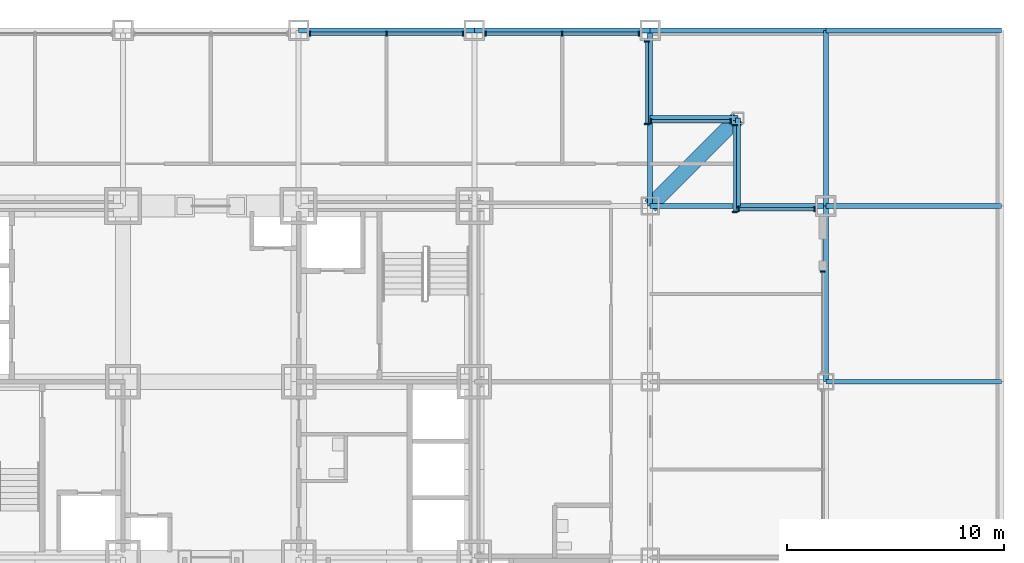
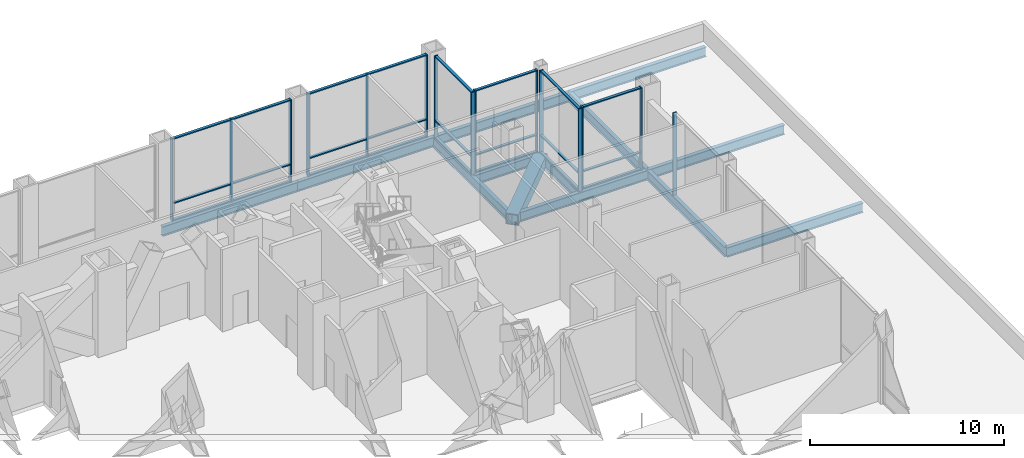
# One storey, part 9 of 18: 39 members, 13 beams, 7 elements without a shape of their own.
"""IFC4 building model written with IfcOpenShell, lengths in metres."""

from ifc_helpers import new_model, si_unit, direction, frame, origin, origin_2d, place, context, subcontext, project, spatial, rectangle, hollow_rectangle, i_section, extrude, material, material_profile, profile_set, type_object, element, aggregate, save


model = new_model("IFC4")

# Units and contexts
model_context = context("Model", 3, precision=1e-05, world=origin(), true_north=direction((0.0, 1.0)))
body_context = subcontext(model_context, "Body", "Model", "MODEL_VIEW")
ifc_project = project(units=[si_unit("LENGTHUNIT", "METRE"), si_unit("AREAUNIT", "SQUARE_METRE"), si_unit("VOLUMEUNIT", "CUBIC_METRE"), si_unit("PLANEANGLEUNIT", "RADIAN"), si_unit("MASSUNIT", "GRAM", prefix="KILO")], contexts=[model_context])

# Site, building, storey
site_placement = place(None, origin())
site = spatial("IfcSite", under=ifc_project, at=site_placement, CompositionType="ELEMENT")
building_placement = place(site_placement, origin())
building = spatial("IfcBuilding", under=site, at=building_placement, Name="Kopane Lantern Tower", CompositionType="ELEMENT")
storey_placement = place(building_placement, frame((0.0, 0.0, 22.199951171875)))
storey = spatial("IfcBuildingStorey", under=building, at=storey_placement, Name="L04", CompositionType="ELEMENT", Elevation=22.199951171875)

# Beams
ifc_material_1 = material(Name="Steel S355JR", Category="steel")
ifc_material_profile_1 = material_profile(ifc_material_1, hollow_rectangle(XDim=0.699951171875, YDim=0.699951171875, WallThickness=0.06005859375, at=origin_2d()), Name="BOX 700x700x60")
ifc_profile_set_1 = profile_set([ifc_material_profile_1], Name="Steel S355JR")
beam_type_1 = type_object("IfcBeamType", Name="CORNER TIE BEAM BOX 700x700x60", PredefinedType="BEAM", material=ifc_profile_set_1)
beam_1_placement = place(storey_placement, frame((52.64990234375, 44.550048828125, -0.599853515625), z_axis=(-0.707085467703, -0.707128094028, 0.0), x_axis=(0.707128094028, -0.707085467703, 0.0)))
element("IfcBeam", 1, at=beam_1_placement, inside=storey, type_object=beam_type_1, Name="Corner Tie Beam L04", PredefinedType="BEAM", context=body_context, shape_type="SweptSolid", body=[
    extrude(hollow_rectangle(XDim=0.699951171875, YDim=0.699951171875, WallThickness=0.06005859375, at=origin_2d()), origin(), (0.0, 0.0, 1.0), 5.7275390625),
])
ifc_material_2 = material(Name="Steel S355JR", Category="steel")
ifc_material_profile_2 = material_profile(ifc_material_2, i_section(OverallWidth=0.22900390625, OverallDepth=0.6123046875, WebThickness=0.011962890625, FlangeThickness=0.01953125, FilletRadius=0.0126953125, at=origin_2d()), Name="UB 610x229x125")
ifc_profile_set_2 = profile_set([ifc_material_profile_2], Name="Steel S355JR")
beam_type_2 = type_object("IfcBeamType", Name="EDGE BEAM UB 610x229x125", PredefinedType="BEAM", material=ifc_profile_set_2)
beam_2_placement = place(storey_placement, frame((52.64990234375, 44.550048828125, -0.55615234375), z_axis=(-1.0, 0.0, 0.0), x_axis=(0.0, -1.0, 0.0)))
element("IfcBeam", 2, at=beam_2_placement, inside=storey, type_object=beam_type_2, Name="Edge Beam L04", PredefinedType="BEAM", context=body_context, shape_type="SweptSolid", body=[
    extrude(i_section(OverallWidth=0.22900390625, OverallDepth=0.6123046875, WebThickness=0.011962890625, FlangeThickness=0.01953125, FilletRadius=0.0126953125, at=origin_2d()), origin(), (0.0, 0.0, 1.0), 4.0498046875),
])
beam_3_placement = place(storey_placement, frame((52.64990234375, 44.550048828125, -0.55615234375), z_axis=(0.0, -1.0, 0.0), x_axis=(1.0, 0.0, 0.0)))
element("IfcBeam", 3, at=beam_3_placement, inside=storey, type_object=beam_type_2, Name="Edge Beam L04", PredefinedType="BEAM", context=body_context, shape_type="SweptSolid", body=[
    extrude(i_section(OverallWidth=0.22900390625, OverallDepth=0.6123046875, WebThickness=0.011962890625, FlangeThickness=0.01953125, FilletRadius=0.0126953125, at=origin_2d()), origin(), (0.0, 0.0, 1.0), 4.050048828125),
])
ifc_material_3 = material(Name="Steel S355JR", Category="steel")
ifc_material_profile_3 = material_profile(ifc_material_3, i_section(OverallWidth=0.22900390625, OverallDepth=0.6123046875, WebThickness=0.011962890625, FlangeThickness=0.01953125, FilletRadius=0.0126953125, at=origin_2d()), Name="UB 610x229x125")
ifc_profile_set_3 = profile_set([ifc_material_profile_3], Name="Steel S355JR")
beam_type_3 = type_object("IfcBeamType", Name="GIRDER UB 610x229x125", PredefinedType="BEAM", material=ifc_profile_set_3)
for number, where, z_axis, x_axis, name in (
    (4, (32.39990234375, 48.60009765625, -0.55615234375), (1.0, 0.0, 0.0), (0.0, 1.0, 0.0), "Girder L04"),
    (5, (40.5, 48.60009765625, -0.55615234375), (1.0, 0.0, 0.0), (0.0, 1.0, 0.0), "Girder L04"),
    (6, (48.60009765625, 40.5, -0.55615234375), (0.0, 1.0, 0.0), (-1.0, 0.0, 0.0), "Girder L04"),
):
    element("IfcBeam", number, at=place(storey_placement, frame(where, z_axis=z_axis, x_axis=x_axis)), inside=storey, type_object=beam_type_3, Name=name, PredefinedType="BEAM", context=body_context, shape_type="SweptSolid", body=[
        extrude(i_section(OverallWidth=0.22900390625, OverallDepth=0.6123046875, WebThickness=0.011962890625, FlangeThickness=0.01953125, FilletRadius=0.0126953125, at=origin_2d()), origin(), (0.0, 0.0, 1.0), 8.10009765625),
    ])
for number, where, z_axis, x_axis, name in (
    (7, (48.60009765625, 40.5, -0.55615234375), (1.0, 0.0, 0.0), (0.0, 1.0, 0.0), "Girder L04"),
    (8, (48.60009765625, 48.60009765625, -0.55615234375), (1.0, 0.0, 0.0), (0.0, 1.0, 0.0), "Girder L04"),
):
    element("IfcBeam", number, at=place(storey_placement, frame(where, z_axis=z_axis, x_axis=x_axis)), inside=storey, type_object=beam_type_3, Name=name, PredefinedType="BEAM", context=body_context, shape_type="SweptSolid", body=[
        extrude(i_section(OverallWidth=0.22900390625, OverallDepth=0.6123046875, WebThickness=0.011962890625, FlangeThickness=0.01953125, FilletRadius=0.0126953125, at=origin_2d()), origin(), (0.0, 0.0, 1.0), 8.099853515625),
    ])
for number, where, z_axis, x_axis, name in (
    (9, (56.699951171875, 32.39990234375, -0.55615234375), (0.0, 1.0, 0.0), (-1.0, 0.0, 0.0), "Girder L04"),
    (10, (56.699951171875, 32.39990234375, -0.55615234375), (1.0, 0.0, 0.0), (0.0, 1.0, 0.0), "Girder L04"),
    (11, (56.699951171875, 40.5, -0.55615234375), (0.0, 1.0, 0.0), (-1.0, 0.0, 0.0), "Girder L04"),
    (12, (56.699951171875, 40.5, -0.55615234375), (1.0, 0.0, 0.0), (0.0, 1.0, 0.0), "Girder L04"),
    (13, (56.699951171875, 48.60009765625, -0.55615234375), (1.0, 0.0, 0.0), (0.0, 1.0, 0.0), "Girder L04"),
):
    element("IfcBeam", number, at=place(storey_placement, frame(where, z_axis=z_axis, x_axis=x_axis)), inside=storey, type_object=beam_type_3, Name=name, PredefinedType="BEAM", context=body_context, shape_type="SweptSolid", body=[
        extrude(i_section(OverallWidth=0.22900390625, OverallDepth=0.6123046875, WebThickness=0.011962890625, FlangeThickness=0.01953125, FilletRadius=0.0126953125, at=origin_2d()), origin(), (0.0, 0.0, 1.0), 8.10009765625),
    ])

# Curtain wall, member
ifc_material_4 = material(Name="Aluminium and clear glass", Category="aluminium")
curtain_wall_type = type_object("IfcCurtainWallType", Name="CURTAIN WALL CW3 SKY LOBBY", PredefinedType="USERDEFINED", material=ifc_material_4)
curtain_wall_1_placement = place(storey_placement, origin())
curtain_wall_1 = element("IfcCurtainWall", 14, at=curtain_wall_1_placement, inside=storey, type_object=curtain_wall_type, Name="Curtain wall CW3 E L04", ObjectType="CURTAIN WALL", PredefinedType="USERDEFINED")
ifc_material_5 = material(Name="Aluminium", Category="aluminium")
ifc_material_profile_4 = material_profile(ifc_material_5, rectangle(XDim=0.070068359375, YDim=0.22509765625, at=origin_2d()), Name="AL 70x225")
ifc_profile_set_4 = profile_set([ifc_material_profile_4], Name="Aluminium")
member_type_1 = type_object("IfcMemberType", Name="MULLION CW3-M 70x225", PredefinedType="MULLION", material=ifc_profile_set_4)
member_1_placement = place(storey_placement, frame((56.550048828125, 37.489990234375, 0.0), z_axis=(0.0, 0.0, 1.0), x_axis=(0.0, 1.0, 0.0)))
member_1 = element("IfcMember", 15, at=member_1_placement, type_object=member_type_1, Name="CW3 mullion 2", PredefinedType="MULLION", context=body_context, shape_type="SweptSolid", body=[
    extrude(rectangle(XDim=0.070068359375, YDim=0.22509765625, at=origin_2d()), origin(), (0.0, 0.0, 1.0), 5.18994140625),
])
aggregate(curtain_wall_1, [member_1])

# Curtain wall, members
curtain_wall_2_placement = place(storey_placement, origin())
curtain_wall_2 = element("IfcCurtainWall", 16, at=curtain_wall_2_placement, inside=storey, type_object=curtain_wall_type, Name="Curtain wall CW3 N L04", ObjectType="CURTAIN WALL", PredefinedType="USERDEFINED")
member_2_placement = place(storey_placement, frame((56.18505859375, 40.35009765625, 0.0), z_axis=(0.0, 0.0, 1.0), x_axis=(-1.0, 0.0, 0.0)))
member_2 = element("IfcMember", 17, at=member_2_placement, type_object=member_type_1, Name="CW3 mullion 1", PredefinedType="MULLION", context=body_context, shape_type="SweptSolid", body=[
    extrude(rectangle(XDim=0.070068359375, YDim=0.22509765625, at=origin_2d()), origin(), (0.0, 0.0, 1.0), 5.18994140625),
])
member_3_placement = place(storey_placement, frame((52.68505859375, 40.35009765625, 0.0), z_axis=(0.0, 0.0, 1.0), x_axis=(-1.0, 0.0, 0.0)))
member_3 = element("IfcMember", 18, at=member_3_placement, type_object=member_type_1, Name="CW3 mullion 2", PredefinedType="MULLION", context=body_context, shape_type="SweptSolid", body=[
    extrude(rectangle(XDim=0.070068359375, YDim=0.22509765625, at=origin_2d()), origin(), (0.0, 0.0, 1.0), 5.18994140625),
])

curtain_wall_3_placement = place(storey_placement, origin())
curtain_wall_3 = element("IfcCurtainWall", 19, at=curtain_wall_3_placement, inside=storey, type_object=curtain_wall_type, Name="Curtain wall CW3 E L04", ObjectType="CURTAIN WALL", PredefinedType="USERDEFINED")
member_4_placement = place(storey_placement, frame((52.5, 40.235107421875, 0.0), z_axis=(0.0, 0.0, 1.0), x_axis=(0.0, 1.0, 0.0)))
member_4 = element("IfcMember", 20, at=member_4_placement, type_object=member_type_1, Name="CW3 mullion 1", PredefinedType="MULLION", context=body_context, shape_type="SweptSolid", body=[
    extrude(rectangle(XDim=0.070068359375, YDim=0.22509765625, at=origin_2d()), origin(), (0.0, 0.0, 1.0), 5.18994140625),
])
member_5_placement = place(storey_placement, frame((52.5, 44.235107421875, 0.0), z_axis=(0.0, 0.0, 1.0), x_axis=(0.0, 1.0, 0.0)))
member_5 = element("IfcMember", 21, at=member_5_placement, type_object=member_type_1, Name="CW3 mullion 2", PredefinedType="MULLION", context=body_context, shape_type="SweptSolid", body=[
    extrude(rectangle(XDim=0.070068359375, YDim=0.22509765625, at=origin_2d()), origin(), (0.0, 0.0, 1.0), 5.18994140625),
])

curtain_wall_4_placement = place(storey_placement, origin())
curtain_wall_4 = element("IfcCurtainWall", 22, at=curtain_wall_4_placement, inside=storey, type_object=curtain_wall_type, Name="Curtain wall CW3 N L04", ObjectType="CURTAIN WALL", PredefinedType="USERDEFINED")
member_6_placement = place(storey_placement, frame((52.31494140625, 44.39990234375, 0.0), z_axis=(0.0, 0.0, 1.0), x_axis=(-1.0, 0.0, 0.0)))
member_6 = element("IfcMember", 23, at=member_6_placement, type_object=member_type_1, Name="CW3 mullion 1", PredefinedType="MULLION", context=body_context, shape_type="SweptSolid", body=[
    extrude(rectangle(XDim=0.070068359375, YDim=0.22509765625, at=origin_2d()), origin(), (0.0, 0.0, 1.0), 5.18994140625),
])
member_7_placement = place(storey_placement, frame((48.635009765625, 44.39990234375, 0.0), z_axis=(0.0, 0.0, 1.0), x_axis=(-1.0, 0.0, 0.0)))
member_7 = element("IfcMember", 24, at=member_7_placement, type_object=member_type_1, Name="CW3 mullion 2", PredefinedType="MULLION", context=body_context, shape_type="SweptSolid", body=[
    extrude(rectangle(XDim=0.070068359375, YDim=0.22509765625, at=origin_2d()), origin(), (0.0, 0.0, 1.0), 5.18994140625),
])

curtain_wall_5_placement = place(storey_placement, origin())
curtain_wall_5 = element("IfcCurtainWall", 25, at=curtain_wall_5_placement, inside=storey, type_object=curtain_wall_type, Name="Curtain wall CW3 E L04", ObjectType="CURTAIN WALL", PredefinedType="USERDEFINED")
member_8_placement = place(storey_placement, frame((48.449951171875, 44.284912109375, 0.0), z_axis=(0.0, 0.0, 1.0), x_axis=(0.0, 1.0, 0.0)))
member_8 = element("IfcMember", 26, at=member_8_placement, type_object=member_type_1, Name="CW3 mullion 1", PredefinedType="MULLION", context=body_context, shape_type="SweptSolid", body=[
    extrude(rectangle(XDim=0.070068359375, YDim=0.22509765625, at=origin_2d()), origin(), (0.0, 0.0, 1.0), 5.18994140625),
])
member_9_placement = place(storey_placement, frame((48.449951171875, 48.0849609375, 0.0), z_axis=(0.0, 0.0, 1.0), x_axis=(0.0, 1.0, 0.0)))
member_9 = element("IfcMember", 27, at=member_9_placement, type_object=member_type_1, Name="CW3 mullion 2", PredefinedType="MULLION", context=body_context, shape_type="SweptSolid", body=[
    extrude(rectangle(XDim=0.070068359375, YDim=0.22509765625, at=origin_2d()), origin(), (0.0, 0.0, 1.0), 5.18994140625),
])

curtain_wall_6_placement = place(storey_placement, origin())
curtain_wall_6 = element("IfcCurtainWall", 28, at=curtain_wall_6_placement, inside=storey, type_object=curtain_wall_type, Name="Curtain wall CW3 N L04", ObjectType="CURTAIN WALL", PredefinedType="USERDEFINED")
member_10_placement = place(storey_placement, frame((48.0849609375, 48.449951171875, 0.0), z_axis=(0.0, 0.0, 1.0), x_axis=(-1.0, 0.0, 0.0)))
member_10 = element("IfcMember", 29, at=member_10_placement, type_object=member_type_1, Name="CW3 mullion 1", PredefinedType="MULLION", context=body_context, shape_type="SweptSolid", body=[
    extrude(rectangle(XDim=0.070068359375, YDim=0.22509765625, at=origin_2d()), origin(), (0.0, 0.0, 1.0), 5.18994140625),
])
member_11_placement = place(storey_placement, frame((44.550048828125, 48.449951171875, 0.0), z_axis=(0.0, 0.0, 1.0), x_axis=(-1.0, 0.0, 0.0)))
member_11 = element("IfcMember", 30, at=member_11_placement, type_object=member_type_1, Name="CW3 mullion 2", PredefinedType="MULLION", context=body_context, shape_type="SweptSolid", body=[
    extrude(rectangle(XDim=0.070068359375, YDim=0.22509765625, at=origin_2d()), origin(), (0.0, 0.0, 1.0), 5.18994140625),
])
member_12_placement = place(storey_placement, frame((41.014892578125, 48.449951171875, 0.0), z_axis=(0.0, 0.0, 1.0), x_axis=(-1.0, 0.0, 0.0)))
member_12 = element("IfcMember", 31, at=member_12_placement, type_object=member_type_1, Name="CW3 mullion 3", PredefinedType="MULLION", context=body_context, shape_type="SweptSolid", body=[
    extrude(rectangle(XDim=0.070068359375, YDim=0.22509765625, at=origin_2d()), origin(), (0.0, 0.0, 1.0), 5.18994140625),
])

curtain_wall_7_placement = place(storey_placement, origin())
curtain_wall_7 = element("IfcCurtainWall", 32, at=curtain_wall_7_placement, inside=storey, type_object=curtain_wall_type, Name="Curtain wall CW3 N L04", ObjectType="CURTAIN WALL", PredefinedType="USERDEFINED")
member_13_placement = place(storey_placement, frame((39.985107421875, 48.449951171875, 0.0), z_axis=(0.0, 0.0, 1.0), x_axis=(-1.0, 0.0, 0.0)))
member_13 = element("IfcMember", 33, at=member_13_placement, type_object=member_type_1, Name="CW3 mullion 1", PredefinedType="MULLION", context=body_context, shape_type="SweptSolid", body=[
    extrude(rectangle(XDim=0.070068359375, YDim=0.22509765625, at=origin_2d()), origin(), (0.0, 0.0, 1.0), 5.18994140625),
])
member_14_placement = place(storey_placement, frame((36.449951171875, 48.449951171875, 0.0), z_axis=(0.0, 0.0, 1.0), x_axis=(-1.0, 0.0, 0.0)))
member_14 = element("IfcMember", 34, at=member_14_placement, type_object=member_type_1, Name="CW3 mullion 2", PredefinedType="MULLION", context=body_context, shape_type="SweptSolid", body=[
    extrude(rectangle(XDim=0.070068359375, YDim=0.22509765625, at=origin_2d()), origin(), (0.0, 0.0, 1.0), 5.18994140625),
])
member_15_placement = place(storey_placement, frame((32.9150390625, 48.449951171875, 0.0), z_axis=(0.0, 0.0, 1.0), x_axis=(-1.0, 0.0, 0.0)))
member_15 = element("IfcMember", 35, at=member_15_placement, type_object=member_type_1, Name="CW3 mullion 3", PredefinedType="MULLION", context=body_context, shape_type="SweptSolid", body=[
    extrude(rectangle(XDim=0.070068359375, YDim=0.22509765625, at=origin_2d()), origin(), (0.0, 0.0, 1.0), 5.18994140625),
])

# Member
ifc_material_6 = material(Name="Aluminium", Category="aluminium")
ifc_material_profile_5 = material_profile(ifc_material_6, rectangle(XDim=0.159912109375, YDim=0.070068359375, at=origin_2d()), Name="AL 160x70")
ifc_profile_set_5 = profile_set([ifc_material_profile_5], Name="Aluminium")
member_type_2 = type_object("IfcMemberType", Name="TRANSOM CW3-T 70x160", PredefinedType="USERDEFINED", material=ifc_profile_set_5)
member_16_placement = place(storey_placement, frame((56.14990234375, 40.35009765625, 0.03515625), z_axis=(-1.0, 0.0, 0.0), x_axis=(0.0, -1.0, 0.0)))
member_16 = element("IfcMember", 36, at=member_16_placement, type_object=member_type_2, Name="CW3 transom 1.1", ObjectType="TRANSOM", PredefinedType="USERDEFINED", context=body_context, shape_type="SweptSolid", body=[
    extrude(rectangle(XDim=0.159912109375, YDim=0.070068359375, at=origin_2d()), origin(), (0.0, 0.0, 1.0), 3.429931640625),
])

member_17_placement = place(storey_placement, frame((56.14990234375, 40.35009765625, 1.10009765625), z_axis=(-1.0, 0.0, 0.0), x_axis=(0.0, -1.0, 0.0)))
member_17 = element("IfcMember", 37, at=member_17_placement, type_object=member_type_2, Name="CW3 transom 1.2", ObjectType="TRANSOM", PredefinedType="USERDEFINED", context=body_context, shape_type="SweptSolid", body=[
    extrude(rectangle(XDim=0.159912109375, YDim=0.070068359375, at=origin_2d()), origin(), (0.0, 0.0, 1.0), 3.429931640625),
])

member_18_placement = place(storey_placement, frame((56.14990234375, 40.35009765625, 5.155029296875), z_axis=(-1.0, 0.0, 0.0), x_axis=(0.0, -1.0, 0.0)))
member_18 = element("IfcMember", 38, at=member_18_placement, type_object=member_type_2, Name="CW3 transom 1.3", ObjectType="TRANSOM", PredefinedType="USERDEFINED", context=body_context, shape_type="SweptSolid", body=[
    extrude(rectangle(XDim=0.159912109375, YDim=0.070068359375, at=origin_2d()), origin(), (0.0, 0.0, 1.0), 3.429931640625),
])

aggregate(curtain_wall_2, [member_2, member_3, member_16, member_17, member_18])

member_19_placement = place(storey_placement, frame((52.5, 40.27001953125, 0.03515625), z_axis=(0.0, 1.0, 0.0), x_axis=(-1.0, 0.0, 0.0)))
member_19 = element("IfcMember", 39, at=member_19_placement, type_object=member_type_2, Name="CW3 transom 1.1", ObjectType="TRANSOM", PredefinedType="USERDEFINED", context=body_context, shape_type="SweptSolid", body=[
    extrude(rectangle(XDim=0.159912109375, YDim=0.070068359375, at=origin_2d()), origin(), (0.0, 0.0, 1.0), 3.929931640625),
])

member_20_placement = place(storey_placement, frame((52.5, 40.27001953125, 1.10009765625), z_axis=(0.0, 1.0, 0.0), x_axis=(-1.0, 0.0, 0.0)))
member_20 = element("IfcMember", 40, at=member_20_placement, type_object=member_type_2, Name="CW3 transom 1.2", ObjectType="TRANSOM", PredefinedType="USERDEFINED", context=body_context, shape_type="SweptSolid", body=[
    extrude(rectangle(XDim=0.159912109375, YDim=0.070068359375, at=origin_2d()), origin(), (0.0, 0.0, 1.0), 3.929931640625),
])

member_21_placement = place(storey_placement, frame((52.5, 40.27001953125, 5.155029296875), z_axis=(0.0, 1.0, 0.0), x_axis=(-1.0, 0.0, 0.0)))
member_21 = element("IfcMember", 41, at=member_21_placement, type_object=member_type_2, Name="CW3 transom 1.3", ObjectType="TRANSOM", PredefinedType="USERDEFINED", context=body_context, shape_type="SweptSolid", body=[
    extrude(rectangle(XDim=0.159912109375, YDim=0.070068359375, at=origin_2d()), origin(), (0.0, 0.0, 1.0), 3.929931640625),
])

aggregate(curtain_wall_3, [member_4, member_5, member_19, member_20, member_21])

member_22_placement = place(storey_placement, frame((52.280029296875, 44.39990234375, 0.03515625), z_axis=(-1.0, 0.0, 0.0), x_axis=(0.0, -1.0, 0.0)))
member_22 = element("IfcMember", 42, at=member_22_placement, type_object=member_type_2, Name="CW3 transom 1.1", ObjectType="TRANSOM", PredefinedType="USERDEFINED", context=body_context, shape_type="SweptSolid", body=[
    extrude(rectangle(XDim=0.159912109375, YDim=0.070068359375, at=origin_2d()), origin(), (0.0, 0.0, 1.0), 3.610107421875),
])

member_23_placement = place(storey_placement, frame((52.280029296875, 44.39990234375, 1.10009765625), z_axis=(-1.0, 0.0, 0.0), x_axis=(0.0, -1.0, 0.0)))
member_23 = element("IfcMember", 43, at=member_23_placement, type_object=member_type_2, Name="CW3 transom 1.2", ObjectType="TRANSOM", PredefinedType="USERDEFINED", context=body_context, shape_type="SweptSolid", body=[
    extrude(rectangle(XDim=0.159912109375, YDim=0.070068359375, at=origin_2d()), origin(), (0.0, 0.0, 1.0), 3.610107421875),
])

member_24_placement = place(storey_placement, frame((52.280029296875, 44.39990234375, 5.155029296875), z_axis=(-1.0, 0.0, 0.0), x_axis=(0.0, -1.0, 0.0)))
member_24 = element("IfcMember", 44, at=member_24_placement, type_object=member_type_2, Name="CW3 transom 1.3", ObjectType="TRANSOM", PredefinedType="USERDEFINED", context=body_context, shape_type="SweptSolid", body=[
    extrude(rectangle(XDim=0.159912109375, YDim=0.070068359375, at=origin_2d()), origin(), (0.0, 0.0, 1.0), 3.610107421875),
])

aggregate(curtain_wall_4, [member_6, member_7, member_22, member_23, member_24])

member_25_placement = place(storey_placement, frame((48.449951171875, 44.320068359375, 0.03515625), z_axis=(0.0, 1.0, 0.0), x_axis=(-1.0, 0.0, 0.0)))
member_25 = element("IfcMember", 45, at=member_25_placement, type_object=member_type_2, Name="CW3 transom 1.1", ObjectType="TRANSOM", PredefinedType="USERDEFINED", context=body_context, shape_type="SweptSolid", body=[
    extrude(rectangle(XDim=0.159912109375, YDim=0.070068359375, at=origin_2d()), origin(), (0.0, 0.0, 1.0), 3.72998046875),
])

member_26_placement = place(storey_placement, frame((48.449951171875, 44.320068359375, 1.10009765625), z_axis=(0.0, 1.0, 0.0), x_axis=(-1.0, 0.0, 0.0)))
member_26 = element("IfcMember", 46, at=member_26_placement, type_object=member_type_2, Name="CW3 transom 1.2", ObjectType="TRANSOM", PredefinedType="USERDEFINED", context=body_context, shape_type="SweptSolid", body=[
    extrude(rectangle(XDim=0.159912109375, YDim=0.070068359375, at=origin_2d()), origin(), (0.0, 0.0, 1.0), 3.72998046875),
])

member_27_placement = place(storey_placement, frame((48.449951171875, 44.320068359375, 5.155029296875), z_axis=(0.0, 1.0, 0.0), x_axis=(-1.0, 0.0, 0.0)))
member_27 = element("IfcMember", 47, at=member_27_placement, type_object=member_type_2, Name="CW3 transom 1.3", ObjectType="TRANSOM", PredefinedType="USERDEFINED", context=body_context, shape_type="SweptSolid", body=[
    extrude(rectangle(XDim=0.159912109375, YDim=0.070068359375, at=origin_2d()), origin(), (0.0, 0.0, 1.0), 3.72998046875),
])

aggregate(curtain_wall_5, [member_8, member_9, member_25, member_26, member_27])

member_28_placement = place(storey_placement, frame((48.050048828125, 48.449951171875, 0.03515625), z_axis=(-1.0, 0.0, 0.0), x_axis=(0.0, -1.0, 0.0)))
member_28 = element("IfcMember", 48, at=member_28_placement, type_object=member_type_2, Name="CW3 transom 1.1", ObjectType="TRANSOM", PredefinedType="USERDEFINED", context=body_context, shape_type="SweptSolid", body=[
    extrude(rectangle(XDim=0.159912109375, YDim=0.070068359375, at=origin_2d()), origin(), (0.0, 0.0, 1.0), 3.465087890625),
])

member_29_placement = place(storey_placement, frame((48.050048828125, 48.449951171875, 1.10009765625), z_axis=(-1.0, 0.0, 0.0), x_axis=(0.0, -1.0, 0.0)))
member_29 = element("IfcMember", 49, at=member_29_placement, type_object=member_type_2, Name="CW3 transom 1.2", ObjectType="TRANSOM", PredefinedType="USERDEFINED", context=body_context, shape_type="SweptSolid", body=[
    extrude(rectangle(XDim=0.159912109375, YDim=0.070068359375, at=origin_2d()), origin(), (0.0, 0.0, 1.0), 3.465087890625),
])

member_30_placement = place(storey_placement, frame((48.050048828125, 48.449951171875, 5.155029296875), z_axis=(-1.0, 0.0, 0.0), x_axis=(0.0, -1.0, 0.0)))
member_30 = element("IfcMember", 50, at=member_30_placement, type_object=member_type_2, Name="CW3 transom 1.3", ObjectType="TRANSOM", PredefinedType="USERDEFINED", context=body_context, shape_type="SweptSolid", body=[
    extrude(rectangle(XDim=0.159912109375, YDim=0.070068359375, at=origin_2d()), origin(), (0.0, 0.0, 1.0), 3.465087890625),
])

member_31_placement = place(storey_placement, frame((44.514892578125, 48.449951171875, 0.03515625), z_axis=(-1.0, 0.0, 0.0), x_axis=(0.0, -1.0, 0.0)))
member_31 = element("IfcMember", 51, at=member_31_placement, type_object=member_type_2, Name="CW3 transom 2.1", ObjectType="TRANSOM", PredefinedType="USERDEFINED", context=body_context, shape_type="SweptSolid", body=[
    extrude(rectangle(XDim=0.159912109375, YDim=0.070068359375, at=origin_2d()), origin(), (0.0, 0.0, 1.0), 3.46484375),
])

member_32_placement = place(storey_placement, frame((44.514892578125, 48.449951171875, 1.10009765625), z_axis=(-1.0, 0.0, 0.0), x_axis=(0.0, -1.0, 0.0)))
member_32 = element("IfcMember", 52, at=member_32_placement, type_object=member_type_2, Name="CW3 transom 2.2", ObjectType="TRANSOM", PredefinedType="USERDEFINED", context=body_context, shape_type="SweptSolid", body=[
    extrude(rectangle(XDim=0.159912109375, YDim=0.070068359375, at=origin_2d()), origin(), (0.0, 0.0, 1.0), 3.46484375),
])

member_33_placement = place(storey_placement, frame((44.514892578125, 48.449951171875, 5.155029296875), z_axis=(-1.0, 0.0, 0.0), x_axis=(0.0, -1.0, 0.0)))
member_33 = element("IfcMember", 53, at=member_33_placement, type_object=member_type_2, Name="CW3 transom 2.3", ObjectType="TRANSOM", PredefinedType="USERDEFINED", context=body_context, shape_type="SweptSolid", body=[
    extrude(rectangle(XDim=0.159912109375, YDim=0.070068359375, at=origin_2d()), origin(), (0.0, 0.0, 1.0), 3.46484375),
])

aggregate(curtain_wall_6, [member_10, member_11, member_12, member_28, member_29, member_30, member_31, member_32, member_33])

member_34_placement = place(storey_placement, frame((39.949951171875, 48.449951171875, 0.03515625), z_axis=(-1.0, 0.0, 0.0), x_axis=(0.0, -1.0, 0.0)))
member_34 = element("IfcMember", 54, at=member_34_placement, type_object=member_type_2, Name="CW3 transom 1.1", ObjectType="TRANSOM", PredefinedType="USERDEFINED", context=body_context, shape_type="SweptSolid", body=[
    extrude(rectangle(XDim=0.159912109375, YDim=0.070068359375, at=origin_2d()), origin(), (0.0, 0.0, 1.0), 3.46484375),
])

member_35_placement = place(storey_placement, frame((39.949951171875, 48.449951171875, 1.10009765625), z_axis=(-1.0, 0.0, 0.0), x_axis=(0.0, -1.0, 0.0)))
member_35 = element("IfcMember", 55, at=member_35_placement, type_object=member_type_2, Name="CW3 transom 1.2", ObjectType="TRANSOM", PredefinedType="USERDEFINED", context=body_context, shape_type="SweptSolid", body=[
    extrude(rectangle(XDim=0.159912109375, YDim=0.070068359375, at=origin_2d()), origin(), (0.0, 0.0, 1.0), 3.46484375),
])

member_36_placement = place(storey_placement, frame((39.949951171875, 48.449951171875, 5.155029296875), z_axis=(-1.0, 0.0, 0.0), x_axis=(0.0, -1.0, 0.0)))
member_36 = element("IfcMember", 56, at=member_36_placement, type_object=member_type_2, Name="CW3 transom 1.3", ObjectType="TRANSOM", PredefinedType="USERDEFINED", context=body_context, shape_type="SweptSolid", body=[
    extrude(rectangle(XDim=0.159912109375, YDim=0.070068359375, at=origin_2d()), origin(), (0.0, 0.0, 1.0), 3.46484375),
])

member_37_placement = place(storey_placement, frame((36.4150390625, 48.449951171875, 0.03515625), z_axis=(-1.0, 0.0, 0.0), x_axis=(0.0, -1.0, 0.0)))
member_37 = element("IfcMember", 57, at=member_37_placement, type_object=member_type_2, Name="CW3 transom 2.1", ObjectType="TRANSOM", PredefinedType="USERDEFINED", context=body_context, shape_type="SweptSolid", body=[
    extrude(rectangle(XDim=0.159912109375, YDim=0.070068359375, at=origin_2d()), origin(), (0.0, 0.0, 1.0), 3.465087890625),
])

member_38_placement = place(storey_placement, frame((36.4150390625, 48.449951171875, 1.10009765625), z_axis=(-1.0, 0.0, 0.0), x_axis=(0.0, -1.0, 0.0)))
member_38 = element("IfcMember", 58, at=member_38_placement, type_object=member_type_2, Name="CW3 transom 2.2", ObjectType="TRANSOM", PredefinedType="USERDEFINED", context=body_context, shape_type="SweptSolid", body=[
    extrude(rectangle(XDim=0.159912109375, YDim=0.070068359375, at=origin_2d()), origin(), (0.0, 0.0, 1.0), 3.465087890625),
])

member_39_placement = place(storey_placement, frame((36.4150390625, 48.449951171875, 5.155029296875), z_axis=(-1.0, 0.0, 0.0), x_axis=(0.0, -1.0, 0.0)))
member_39 = element("IfcMember", 59, at=member_39_placement, type_object=member_type_2, Name="CW3 transom 2.3", ObjectType="TRANSOM", PredefinedType="USERDEFINED", context=body_context, shape_type="SweptSolid", body=[
    extrude(rectangle(XDim=0.159912109375, YDim=0.070068359375, at=origin_2d()), origin(), (0.0, 0.0, 1.0), 3.465087890625),
])

aggregate(curtain_wall_7, [member_13, member_14, member_15, member_34, member_35, member_36, member_37, member_38, member_39])

save(model, "model.ifc")
